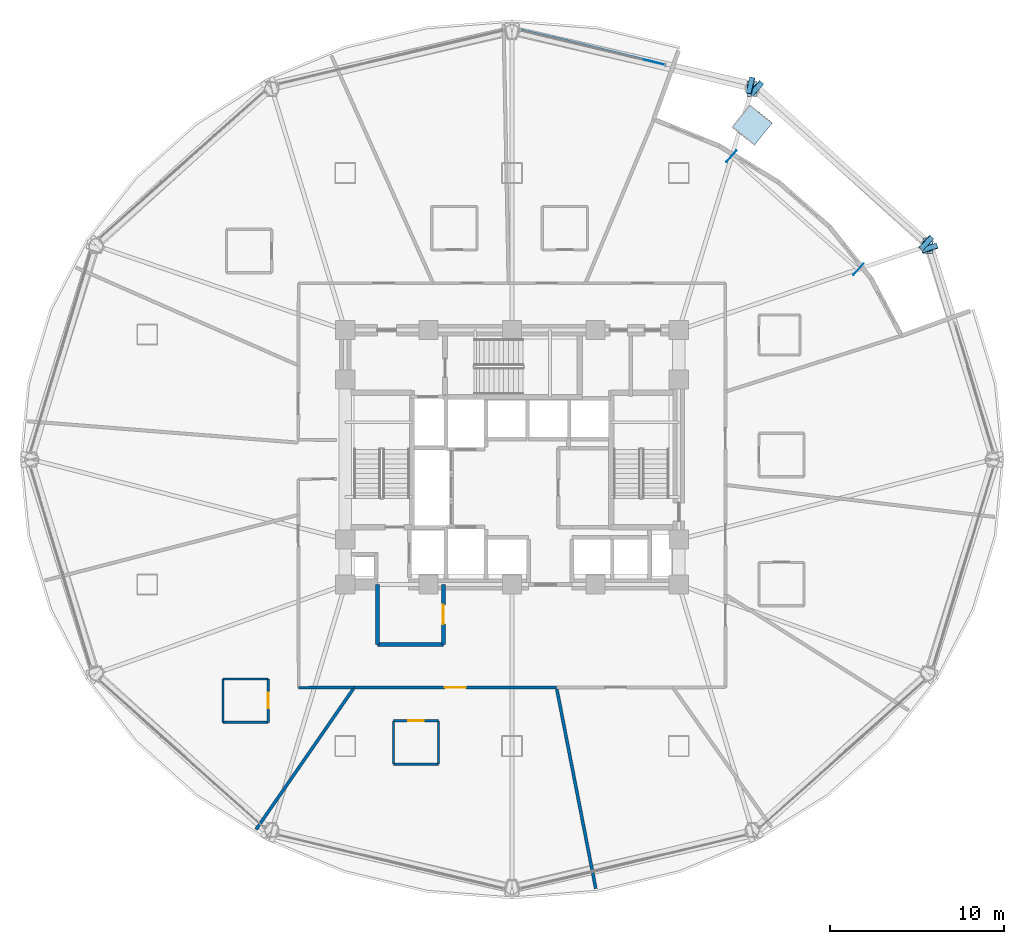
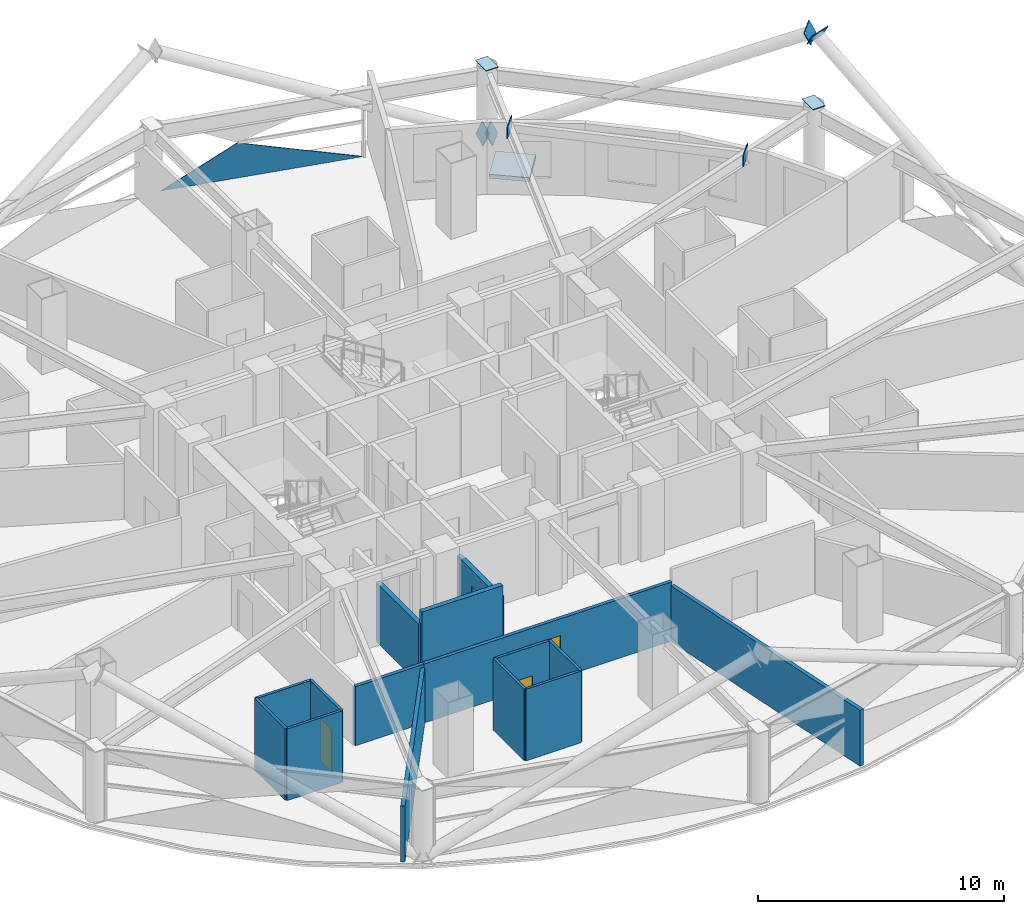
# One storey, part 24 of 33: 15 walls, 9 plates, 4 doors, 1 slab, 4 openings, 1 element without a shape of its own.
"""IFC4 building model written with IfcOpenShell, lengths in metres."""

from ifc_helpers import new_model, si_unit, direction, frame, frame_2d, origin, origin_2d, place, context, subcontext, project, spatial, polyline, rectangle, outline, extrude, material, layer, layer_set, type_object, element, fill, aggregate, save


model = new_model("IFC4")

# Units and contexts
model_context = context("Model", 3, precision=1e-05, world=origin(), true_north=direction((0.0, 1.0)))
body_context = subcontext(model_context, "Body", "Model", "MODEL_VIEW")
ifc_project = project(units=[si_unit("LENGTHUNIT", "METRE"), si_unit("AREAUNIT", "SQUARE_METRE"), si_unit("VOLUMEUNIT", "CUBIC_METRE"), si_unit("PLANEANGLEUNIT", "RADIAN"), si_unit("MASSUNIT", "GRAM", prefix="KILO")], contexts=[model_context])

# Site, building, storey
site_placement = place(None, origin())
site = spatial("IfcSite", under=ifc_project, at=site_placement, CompositionType="ELEMENT")
building_placement = place(site_placement, origin())
building = spatial("IfcBuilding", under=site, at=building_placement, Name="Vantalir Tower", CompositionType="ELEMENT")
storey_placement = place(building_placement, frame((0.0, 0.0, 72.0)))
storey = spatial("IfcBuildingStorey", under=building, at=storey_placement, Name="L17", CompositionType="ELEMENT", Elevation=72.0)

# Curtain wall, plate
ifc_material_1 = material(Name="Champagne-silver PVDF aluminium and double-silver Low-E glass", Category="aluminium")
ifc_layer_1 = layer(ifc_material_1, 0.18994140625)
ifc_layer_set_1 = layer_set([ifc_layer_1], Name="Champagne-silver PVDF aluminium and double-silver Low-E glass")
curtain_wall_type = type_object("IfcCurtainWallType", Name="CW-DIAMOND-Z1", PredefinedType="USERDEFINED", material=ifc_layer_set_1)
curtain_wall_placement = place(storey_placement, origin())
curtain_wall = element("IfcCurtainWall", 1, at=curtain_wall_placement, inside=storey, type_object=curtain_wall_type, Name="L17 Quilted Pyramid-Diamond Curtain Wall S03", ObjectType="UNITISED CURTAIN WALL", PredefinedType="USERDEFINED")
ifc_material_2 = material(Name="Double-silver Low-E laminated glass IGU", Category="glass")
ifc_layer_2 = layer(ifc_material_2, 0.028076171875)
ifc_layer_set_2 = layer_set([ifc_layer_2], Name="Double-silver Low-E laminated glass IGU")
plate_type_1 = type_object("IfcPlateType", Name="CWP-IGU-28", PredefinedType="CURTAIN_PANEL", material=ifc_layer_set_2)
plate_1_placement = place(storey_placement, frame((40.308349609375, 47.715087890625, 0.046875), z_axis=(-0.23229264158, -0.972549111847, 0.01372420177), x_axis=(-0.972640625187, 0.232314901427, 2.8483926e-05)))
plate_1 = element("IfcPlate", 2, at=plate_1_placement, type_object=plate_type_1, Name="CW-L17-S03 Pyramid Diamond Facet 1L", PredefinedType="CURTAIN_PANEL", context=body_context, shape_type="SweptSolid", body=[
    extrude(outline(polyline([(0.0, 0.0), (8.571171824407651, -5.204170427930421e-18), (5.312015024365461, -1.725352986505194), (0.0, 0.0)])), origin(), (0.0, 0.0, -1.0), 0.028076171875),
])
aggregate(curtain_wall, [plate_1])

# Plates
ifc_material_3 = material(Name="Steel S460", Category="steel")
ifc_layer_3 = layer(ifc_material_3, 0.0400390625)
ifc_layer_set_3 = layer_set([ifc_layer_3], Name="Steel S460")
plate_type_2 = type_object("IfcPlateType", Name="PLT-KN-Z1", PredefinedType="USERDEFINED", material=ifc_layer_set_3)
plate_2_placement = place(storey_placement, frame((55.9375, 37.47021484375, 6.877685546875), z_axis=(-0.26126543876, 0.834947682302, 0.484358068302), x_axis=(-0.954365184517, -0.29864208397, 1.6263131e-05)))
element("IfcPlate", 3, at=plate_2_placement, inside=storey, type_object=plate_type_2, Name="Node Cap Plate MEM-DG-L17-R01L End", ObjectType="FLANGE_PLATE", PredefinedType="USERDEFINED", context=body_context, shape_type="SweptSolid", body=[
    extrude(outline(polyline([(0.0, 0.0), (0.9498486405477518, 0.0), (0.9499438359919646, 0.6200522480230988), (-0.0001378038684132079, 0.6200875662071242), (0.0, 0.0)])), origin(), (0.0, 0.0, -1.0), 0.0400390625),
])
plate_3_placement = place(storey_placement, frame((45.192138671875, 47.03369140625, -0.094970703125), z_axis=(-0.871286829879, 0.19973211141, 0.448292698749), x_axis=(-0.223466812961, -0.974711537321, -5.0185253e-05)))
element("IfcPlate", 4, at=plate_3_placement, inside=storey, type_object=plate_type_2, Name="Node Cap Plate MEM-DG-L17-R07L Start", ObjectType="FLANGE_PLATE", PredefinedType="USERDEFINED", context=body_context, shape_type="SweptSolid", body=[
    extrude(outline(polyline([(0.0, 0.0), (0.9500725069175502, 1.3877787807814457e-17), (0.9501675652928381, 0.6200414732654709), (0.0001496157026709038, 0.6199347969856953), (0.0, 0.0)])), origin(), (0.0, 0.0, -1.0), 0.0400390625),
])
plate_4_placement = place(storey_placement, frame((45.3564453125, 45.90966796875, -0.088134765625), z_axis=(0.654580602612, -0.59534202454, 0.465931441847), x_axis=(0.672852961049, 0.739776244236, -3.5648513e-05)))
element("IfcPlate", 5, at=plate_4_placement, inside=storey, type_object=plate_type_2, Name="Node Cap Plate MEM-DG-L17-R07R Start", ObjectType="FLANGE_PLATE", PredefinedType="USERDEFINED", context=body_context, shape_type="SweptSolid", body=[
    extrude(outline(polyline([(0.0, 0.0), (0.9498547565769415, 0.0), (0.9500440201341833, 0.6200327086290652), (8.654122613854656e-06, 0.6199561640282064), (0.0, 0.0)])), origin(), (0.0, 0.0, -1.0), 0.0400390625),
])
plate_5_placement = place(storey_placement, frame((55.14404296875, 37.00537109375, 6.878173828125), z_axis=(0.654467409293, -0.595466439096, 0.465931465007), x_axis=(0.672993578313, 0.73964832338, -3.5649798e-05)))
element("IfcPlate", 6, at=plate_5_placement, inside=storey, type_object=plate_type_2, Name="Node Cap Plate MEM-DG-L17-R07R End", ObjectType="FLANGE_PLATE", PredefinedType="USERDEFINED", context=body_context, shape_type="SweptSolid", body=[
    extrude(outline(polyline([(0.0, 0.0), (0.9500190567111387, -5.551115123125783e-17), (0.950153389625011, 0.6200327229614983), (-4.6245290078114403e-05, 0.6199561623620075), (0.0, 0.0)])), origin(), (0.0, 0.0, -1.0), 0.0400390625),
])
ifc_layer_4 = layer(ifc_material_3, 0.035888671875)
ifc_layer_set_4 = layer_set([ifc_layer_4], Name="Steel S460")
plate_type_3 = type_object("IfcPlateType", Name="PLT-KN-Z2", PredefinedType="USERDEFINED", material=ifc_layer_set_4)
plate_6_placement = place(storey_placement, frame((55.156005859375, 37.75390625, 3.751953125), z_axis=(0.0, 0.0, 1.0), x_axis=(0.0, -1.0, 0.0)))
element("IfcPlate", 7, at=plate_6_placement, inside=storey, type_object=plate_type_3, Name="L17 Ring Column Top Cap RC02", ObjectType="FLANGE_PLATE", PredefinedType="USERDEFINED", context=body_context, shape_type="SweptSolid", body=[
    extrude(outline(polyline([(0.0, 0.0), (0.8798828125, 0.0), (0.8798828125, 0.580078125), (0.0, 0.580078125), (0.0, 0.0)])), origin(), (0.0, 0.0, -1.0), 0.035888671875),
])
plate_7_placement = place(storey_placement, frame((45.034912109375, 46.76904296875, 3.751953125), z_axis=(0.0, 0.0, 1.0), x_axis=(0.0, -1.0, 0.0)))
element("IfcPlate", 8, at=plate_7_placement, inside=storey, type_object=plate_type_3, Name="L17 Ring Column Top Cap RC03", ObjectType="FLANGE_PLATE", PredefinedType="USERDEFINED", context=body_context, shape_type="SweptSolid", body=[
    extrude(outline(polyline([(0.0, 0.0), (0.880126953125, 0.0), (0.880126953125, 0.580078125), (0.0, 0.580078125), (0.0, 0.0)])), origin(), (0.0, 0.0, -1.0), 0.035888671875),
])
for number, where, z_axis, x_axis, name in (
    (9, (51.43994140625, 35.94189453125, 3.080078125), (0.0, 0.0, 1.0), (-0.746731058687, 0.665126097813, 0.0), "L17 Lintel Cap 1A"),
    (10, (44.131103515625, 42.452880859375, 3.080078125), (0.0, 0.0, 1.0), (-0.746731058687, 0.665126097813, 0.0), "L17 Lintel Cap 1B"),
):
    element("IfcPlate", number, at=place(storey_placement, frame(where, z_axis=z_axis, x_axis=x_axis)), inside=storey, type_object=plate_type_3, Name=name, ObjectType="FLANGE_PLATE", PredefinedType="USERDEFINED", context=body_context, shape_type="SweptSolid", body=[
        extrude(rectangle(XDim=0.035888671875, YDim=0.8798828125, at=origin_2d()), origin(), (0.0, 0.0, 1.0), 0.580078125),
    ])

# Slab
ifc_material_4 = material(Name="Concrete C40/50", Category="concrete")
ifc_layer_5 = layer(ifc_material_4, 0.199951171875)
ifc_layer_set_5 = layer_set([ifc_layer_5], Name="Concrete C40/50")
slab_type = type_object("IfcSlabType", Name="SL-LAND-200", PredefinedType="LANDING", material=ifc_layer_set_5)
slab_placement = place(storey_placement, frame((0.0, 0.0, -0.199951171875)))
element("IfcSlab", 11, at=slab_placement, inside=storey, type_object=slab_type, Name="Sky Garden Stair SG1 Upper Gallery Landing", PredefinedType="LANDING", context=body_context, shape_type="SweptSolid", body=[
    extrude(outline(polyline([(46.4951171875, 44.385009765625), (45.2041015625, 45.427978515625), (44.155029296875, 44.12890625), (45.446044921875, 43.0859375), (46.4951171875, 44.385009765625)])), origin(), (0.0, 0.0, 1.0), 0.199951171875),
])

# Walls
ifc_material_5 = material(Name="Moisture-resistant en-suite partition", Category="gypsum")
ifc_layer_6 = layer(ifc_material_5, 0.125)
ifc_layer_set_6 = layer_set([ifc_layer_6], Name="Moisture-resistant en-suite partition")
wall_type_1 = type_object("IfcWallType", Name="WL-BATH-125", PredefinedType="PARTITIONING", material=ifc_layer_set_6)
for number, where, z_axis, x_axis, name in (
    (12, (14.865966796875, 9.87109375, 0.0), (0.0, 0.0, 1.0), (1.0, 0.0, 0.0), "L17 En-suite 07 South Wall"),
    (13, (14.865966796875, 12.37109375, 0.0), (0.0, 0.0, 1.0), (1.0, 0.0, 0.0), "L17 En-suite 07 North Wall"),
):
    element("IfcWall", number, at=place(storey_placement, frame(where, z_axis=z_axis, x_axis=x_axis)), inside=storey, type_object=wall_type_1, Name=name, PredefinedType="PARTITIONING", context=body_context, shape_type="SweptSolid", body=[
        extrude(rectangle(XDim=2.60009765625, YDim=0.125, at=frame_2d((1.300048828125, 0.0))), origin(), (0.0, 0.0, 1.0), 3.550048828125),
    ])
wall_1_placement = place(storey_placement, frame((14.865966796875, 9.87109375, 0.0), z_axis=(0.0, 0.0, 1.0), x_axis=(0.0, 1.0, 0.0)))
element("IfcWall", 14, at=wall_1_placement, inside=storey, type_object=wall_type_1, Name="L17 En-suite 07 West Wall", PredefinedType="PARTITIONING", context=body_context, shape_type="SweptSolid", body=[
    extrude(rectangle(XDim=2.5, YDim=0.125, at=frame_2d((1.25, 0.0))), origin(), (0.0, 0.0, 1.0), 3.550048828125),
])

# Wall, opening, door
wall_2_placement = place(storey_placement, frame((17.466064453125, 9.87109375, 0.0), z_axis=(0.0, 0.0, 1.0), x_axis=(0.0, 1.0, 0.0)))
wall_2 = element("IfcWall", 15, at=wall_2_placement, inside=storey, type_object=wall_type_1, Name="L17 En-suite 07 East Wall", PredefinedType="PARTITIONING", context=body_context, shape_type="SweptSolid", body=[
    extrude(rectangle(XDim=2.5, YDim=0.125, at=frame_2d((1.25, 0.0))), origin(), (0.0, 0.0, 1.0), 3.550048828125),
])
opening_1_placement = place(wall_2_placement, frame((0.800048828125, 0.0, 0.0)))
opening_1 = element("IfcOpeningElement", 16, at=opening_1_placement, cuts=wall_2, Name="Opening D-WC", PredefinedType="OPENING", context=body_context, shape_type="SweptSolid", body=[
    extrude(rectangle(XDim=0.89990234375, YDim=2.10009765625, at=frame_2d((0.449951171875, 1.050048828125))), frame((0.0, 0.072509765625, 0.0), z_axis=(0.0, -1.0, 0.0), x_axis=(1.0, 0.0, 0.0)), (0.0, 0.0, 1.0), 0.14501953125),
])
ifc_material_6 = material(Name="Moisture-resistant hardwood door", Category="wood")
door_type_1 = type_object("IfcDoorType", Name="DR-ENSUITE-900", OperationType="NOTDEFINED", PredefinedType="DOOR", material=ifc_material_6)
door_1_placement = place(opening_1_placement, origin())
door_1 = element("IfcDoor", 17, at=door_1_placement, inside=storey, type_object=door_type_1, Name="L17 En-suite 07 Door", OperationType="SINGLE_SWING_LEFT", OverallHeight=2.10009765625, OverallWidth=0.89990234375, PredefinedType="DOOR", context=body_context, shape_type="SweptSolid", body=[
    extrude(rectangle(XDim=0.89990234375, YDim=2.10009765625, at=frame_2d((0.449951171875, 1.050048828125))), frame((0.0, 0.02490234375, 0.0), z_axis=(0.0, -1.0, 0.0), x_axis=(1.0, 0.0, 0.0)), (0.0, 0.0, 1.0), 0.050048828125),
])
fill(opening_1, door_1)

# Wall
wall_3_placement = place(storey_placement, frame((24.673095703125, 7.45703125, 0.0), z_axis=(0.0, 0.0, 1.0), x_axis=(1.0, 0.0, 0.0)))
element("IfcWall", 18, at=wall_3_placement, inside=storey, type_object=wall_type_1, Name="L17 En-suite 08 South Wall", PredefinedType="PARTITIONING", context=body_context, shape_type="SweptSolid", body=[
    extrude(rectangle(XDim=2.599853515625, YDim=0.125, at=frame_2d((1.2998046875, 0.0))), origin(), (0.0, 0.0, 1.0), 3.550048828125),
])

# Wall, opening, door
wall_4_placement = place(storey_placement, frame((24.673095703125, 9.95703125, 0.0), z_axis=(0.0, 0.0, 1.0), x_axis=(1.0, 0.0, 0.0)))
wall_4 = element("IfcWall", 19, at=wall_4_placement, inside=storey, type_object=wall_type_1, Name="L17 En-suite 08 North Wall", PredefinedType="PARTITIONING", context=body_context, shape_type="SweptSolid", body=[
    extrude(rectangle(XDim=2.599853515625, YDim=0.125, at=frame_2d((1.2998046875, 0.0))), origin(), (0.0, 0.0, 1.0), 3.550048828125),
])
opening_2_placement = place(wall_4_placement, frame((0.85009765625, 0.0, 0.0)))
opening_2 = element("IfcOpeningElement", 20, at=opening_2_placement, cuts=wall_4, Name="Opening D-WC", PredefinedType="OPENING", context=body_context, shape_type="SweptSolid", body=[
    extrude(rectangle(XDim=0.89990234375, YDim=2.10009765625, at=frame_2d((0.449951171875, 1.050048828125))), frame((0.0, 0.072509765625, 0.0), z_axis=(0.0, -1.0, 0.0), x_axis=(1.0, 0.0, 0.0)), (0.0, 0.0, 1.0), 0.14501953125),
])
door_2_placement = place(opening_2_placement, frame((0.89990234375, 0.0, 0.0), z_axis=(0.0, 0.0, 1.0), x_axis=(-1.0, 0.0, 0.0)))
door_2 = element("IfcDoor", 21, at=door_2_placement, inside=storey, type_object=door_type_1, Name="L17 En-suite 08 Door", OperationType="SINGLE_SWING_RIGHT", OverallHeight=2.10009765625, OverallWidth=0.89990234375, PredefinedType="DOOR", context=body_context, shape_type="SweptSolid", body=[
    extrude(rectangle(XDim=0.89990234375, YDim=2.10009765625, at=frame_2d((0.449951171875, 1.050048828125))), frame((0.0, 0.02490234375, 0.0), z_axis=(0.0, -1.0, 0.0), x_axis=(1.0, 0.0, 0.0)), (0.0, 0.0, 1.0), 0.050048828125),
])
fill(opening_2, door_2)

# Walls
for number, where, z_axis, x_axis, name in (
    (22, (24.673095703125, 7.45703125, 0.0), (0.0, 0.0, 1.0), (0.0, 1.0, 0.0), "L17 En-suite 08 West Wall"),
    (23, (27.27294921875, 7.45703125, 0.0), (0.0, 0.0, 1.0), (0.0, 1.0, 0.0), "L17 En-suite 08 East Wall"),
):
    element("IfcWall", number, at=place(storey_placement, frame(where, z_axis=z_axis, x_axis=x_axis)), inside=storey, type_object=wall_type_1, Name=name, PredefinedType="PARTITIONING", context=body_context, shape_type="SweptSolid", body=[
        extrude(rectangle(XDim=2.5, YDim=0.125, at=frame_2d((1.25, 0.0))), origin(), (0.0, 0.0, 1.0), 3.550048828125),
    ])

# Wall, opening, door
ifc_material_7 = material(Name="Fire-rated hotel corridor acoustic partition", Category="gypsum")
ifc_layer_7 = layer(ifc_material_7, 0.159912109375)
ifc_layer_set_7 = layer_set([ifc_layer_7], Name="Fire-rated hotel corridor acoustic partition")
wall_type_2 = type_object("IfcWallType", Name="WL-CORR-160", PredefinedType="PARTITIONING", material=ifc_layer_set_7)
wall_5_placement = place(storey_placement, frame((34.06201171875, 11.876953125, 0.0), z_axis=(0.0, 0.0, 1.0), x_axis=(-0.99999976071, -0.000691794728, 0.0)))
wall_5 = element("IfcWall", 24, at=wall_5_placement, inside=storey, type_object=wall_type_2, Name="L17 Corridor Partition 14", PredefinedType="PARTITIONING", context=body_context, shape_type="SweptSolid", body=[
    extrude(rectangle(XDim=11.64599609375, YDim=0.159912109375, at=frame_2d((5.822998046875, 0.0))), origin(), (0.0, 0.0, 1.0), 2.927978515625),
])
opening_3_placement = place(wall_5_placement, frame((5.222900390625, 0.0, 0.0)))
opening_3 = element("IfcOpeningElement", 25, at=opening_3_placement, cuts=wall_5, Name="Opening D-STE", PredefinedType="OPENING", context=body_context, shape_type="SweptSolid", body=[
    extrude(rectangle(XDim=1.199951171875, YDim=2.10009765625, at=frame_2d((0.60009765625, 1.050048828125))), frame((0.0, 0.08984375, 0.0), z_axis=(0.0, -1.0, 0.0), x_axis=(1.0, 0.0, 0.0)), (0.0, 0.0, 1.0), 0.179931640625),
])
ifc_material_8 = material(Name="Solid-core teak veneer suite entrance door", Category="wood")
door_type_2 = type_object("IfcDoorType", Name="DR-SUITE-ENTRY-1200", OperationType="NOTDEFINED", PredefinedType="DOOR", material=ifc_material_8)
door_3_placement = place(opening_3_placement, origin())
door_3 = element("IfcDoor", 26, at=door_3_placement, inside=storey, type_object=door_type_2, Name="L17 Corner Panorama Hotel Suite 08 Door", OperationType="SINGLE_SWING_RIGHT", OverallHeight=2.10009765625, OverallWidth=1.199951171875, PredefinedType="DOOR", context=body_context, shape_type="SweptSolid", body=[
    extrude(rectangle(XDim=1.199951171875, YDim=2.10009765625, at=frame_2d((0.60009765625, 1.050048828125))), frame((0.0, 0.02490234375, 0.0), z_axis=(0.0, -1.0, 0.0), x_axis=(1.0, 0.0, 0.0)), (0.0, 0.0, 1.0), 0.050048828125),
])
fill(opening_3, door_3)

# Walls
wall_6_placement = place(storey_placement, frame((22.416015625, 11.868896484375, 0.0), z_axis=(0.0, 0.0, 1.0), x_axis=(-0.999999813388, -0.000610920085, 0.0)))
element("IfcWall", 27, at=wall_6_placement, inside=storey, type_object=wall_type_2, Name="L17 Corridor Partition 15", PredefinedType="PARTITIONING", context=body_context, shape_type="SweptSolid", body=[
    extrude(rectangle(XDim=3.197021484375, YDim=0.159912109375, at=frame_2d((1.5986328125, 0.0))), origin(), (0.0, 0.0, 1.0), 2.927978515625),
])
ifc_material_9 = material(Name="Concrete blockwork with fireboard lining", Category="masonry")
ifc_layer_8 = layer(ifc_material_9, 0.219970703125)
ifc_layer_set_8 = layer_set([ifc_layer_8], Name="Concrete blockwork with fireboard lining")
wall_type_3 = type_object("IfcWallType", Name="WL-FFL-220", PredefinedType="PARTITIONING", material=ifc_layer_set_8)
wall_7_placement = place(storey_placement, frame((23.75, 14.35009765625, 0.0), z_axis=(0.0, 0.0, 1.0), x_axis=(0.0, 1.0, 0.0)))
element("IfcWall", 28, at=wall_7_placement, inside=storey, type_object=wall_type_3, Name="L17 Firefighting Lobby West Outer W", PredefinedType="PARTITIONING", context=body_context, shape_type="SweptSolid", body=[
    extrude(rectangle(XDim=3.449951171875, YDim=0.219970703125, at=frame_2d((1.72509765625, 0.0))), origin(), (0.0, 0.0, 1.0), 2.927978515625),
])
wall_8_placement = place(storey_placement, frame((23.75, 14.35009765625, 0.0), z_axis=(0.0, 0.0, 1.0), x_axis=(1.0, 0.0, 0.0)))
element("IfcWall", 29, at=wall_8_placement, inside=storey, type_object=wall_type_3, Name="L17 Firefighting Lobby West South Wall", PredefinedType="PARTITIONING", context=body_context, shape_type="SweptSolid", body=[
    extrude(rectangle(XDim=3.800048828125, YDim=0.219970703125, at=frame_2d((1.89990234375, 0.0))), origin(), (0.0, 0.0, 1.0), 3.550048828125),
])

# Wall, opening, door
wall_9_placement = place(storey_placement, frame((27.550048828125, 14.35009765625, 0.0), z_axis=(0.0, 0.0, 1.0), x_axis=(0.0, 1.0, 0.0)))
wall_9 = element("IfcWall", 30, at=wall_9_placement, inside=storey, type_object=wall_type_3, Name="L17 Firefighting Lobby West East Wall", PredefinedType="PARTITIONING", context=body_context, shape_type="SweptSolid", body=[
    extrude(rectangle(XDim=3.449951171875, YDim=0.219970703125, at=frame_2d((1.72509765625, 0.0))), origin(), (0.0, 0.0, 1.0), 2.927978515625),
])
opening_4_placement = place(wall_9_placement, frame((1.175048828125, 0.0, 0.0)))
opening_4 = element("IfcOpeningElement", 31, at=opening_4_placement, cuts=wall_9, Name="Opening D-FFL", PredefinedType="OPENING", context=body_context, shape_type="SweptSolid", body=[
    extrude(rectangle(XDim=1.10009765625, YDim=2.10009765625, at=frame_2d((0.550048828125, 1.050048828125))), frame((0.0, 0.119873046875, 0.0), z_axis=(0.0, -1.0, 0.0), x_axis=(1.0, 0.0, 0.0)), (0.0, 0.0, 1.0), 0.239990234375),
])
ifc_material_10 = material(Name="Fire-rated acoustic steel door", Category="steel")
door_type_3 = type_object("IfcDoorType", Name="DR-FIRE-LOBBY-1100", OperationType="NOTDEFINED", PredefinedType="DOOR", material=ifc_material_10)
door_4_placement = place(opening_4_placement, origin())
door_4 = element("IfcDoor", 32, at=door_4_placement, inside=storey, type_object=door_type_3, Name="L17 Firefighting Lobby West Access Door", OperationType="SINGLE_SWING_RIGHT", OverallHeight=2.10009765625, OverallWidth=1.10009765625, PredefinedType="DOOR", context=body_context, shape_type="SweptSolid", body=[
    extrude(rectangle(XDim=1.10009765625, YDim=2.10009765625, at=frame_2d((0.550048828125, 1.050048828125))), frame((0.0, 0.02490234375, 0.0), z_axis=(0.0, -1.0, 0.0), x_axis=(1.0, 0.0, 0.0)), (0.0, 0.0, 1.0), 0.050048828125),
])
fill(opening_4, door_4)

# Walls
ifc_material_11 = material(Name="Twin-stud acoustic fire-rated gypsum partition", Category="gypsum")
ifc_layer_9 = layer(ifc_material_11, 0.179931640625)
ifc_layer_set_9 = layer_set([ifc_layer_9], Name="Twin-stud acoustic fire-rated gypsum partition")
wall_type_4 = type_object("IfcWallType", Name="WL-GUEST-180", PredefinedType="PARTITIONING", material=ifc_layer_set_9)
wall_10_placement = place(storey_placement, frame((22.35888671875, 11.7880859375, 0.0), z_axis=(0.0, 0.0, 1.0), x_axis=(-0.568951562239, -0.822371035376, 0.0)))
element("IfcWall", 33, at=wall_10_placement, inside=storey, type_object=wall_type_4, Name="L17 Radial Suite Partition 08", PredefinedType="PARTITIONING", context=body_context, shape_type="SweptSolid", body=[
    extrude(rectangle(XDim=9.826416015625, YDim=0.179931640625, at=frame_2d((4.9130859375, 0.0))), origin(), (0.0, 0.0, 1.0), 2.77490234375),
])
wall_11_placement = place(storey_placement, frame((34.080078125, 11.7880859375, 0.0), z_axis=(0.0, 0.0, 1.0), x_axis=(0.191590227311, -0.981475004674, 0.0)))
element("IfcWall", 34, at=wall_11_placement, inside=storey, type_object=wall_type_4, Name="L17 Radial Suite Partition 09", PredefinedType="PARTITIONING", context=body_context, shape_type="SweptSolid", body=[
    extrude(rectangle(XDim=11.706787109375, YDim=0.179931640625, at=frame_2d((5.853515625, 0.0))), origin(), (0.0, 0.0, 1.0), 2.77490234375),
])

save(model, "model.ifc")
